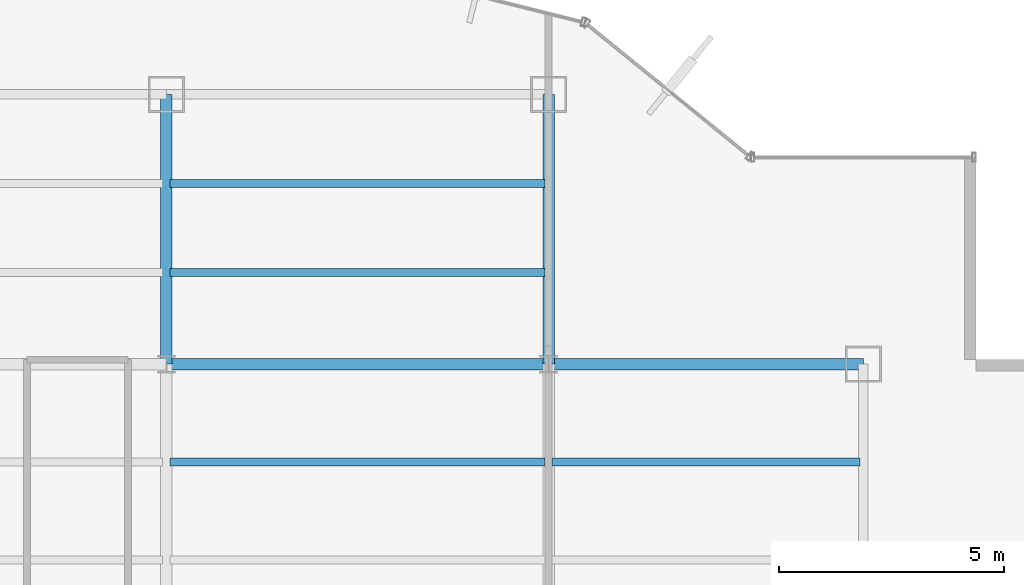
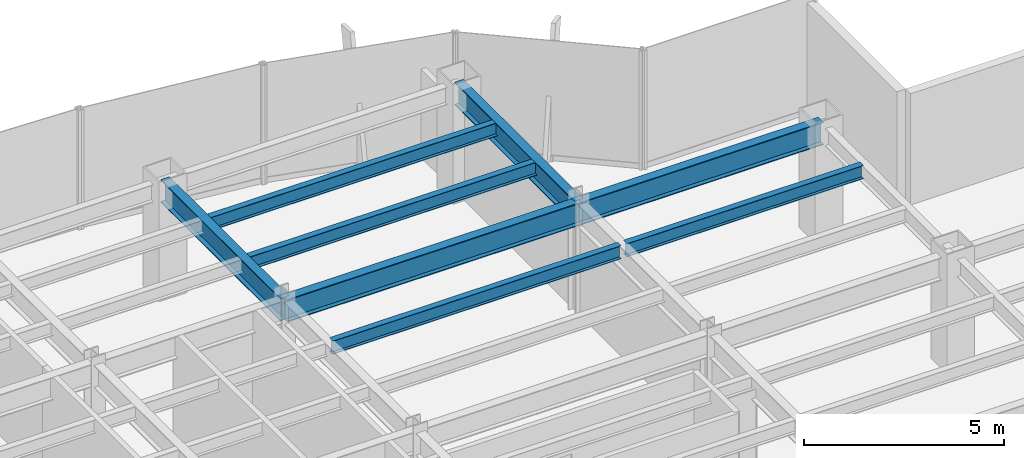
# One storey, part 17 of 26: 8 beams.
"""IFC4 building model written with IfcOpenShell, lengths in metres."""

from ifc_helpers import new_model, si_unit, derived_unit, direction, frame, origin, origin_2d, place, context, subcontext, project, spatial, i_section, extrude, source, transform, mapped, material, material_profile, profile_set, type_object, element, save


model = new_model("IFC4")

# Units and contexts
model_context = context("Model", 3, precision=1e-05, world=origin(), true_north=direction((0.0, 1.0)))
body_context = subcontext(model_context, "Body", "Model", "MODEL_VIEW")
ifc_project = project(units=[si_unit("LENGTHUNIT", "METRE"), si_unit("AREAUNIT", "SQUARE_METRE"), si_unit("VOLUMEUNIT", "CUBIC_METRE"), si_unit("PLANEANGLEUNIT", "RADIAN"), si_unit("MASSUNIT", "GRAM", prefix="KILO"), derived_unit("THERMALTRANSMITTANCEUNIT", [(si_unit("POWERUNIT", "WATT"), 1), (si_unit("LENGTHUNIT", "METRE"), -2), (si_unit("THERMODYNAMICTEMPERATUREUNIT", "KELVIN"), -1)])], contexts=[model_context])

# Site, building, storey
site_placement = place(None, origin())
site = spatial("IfcSite", under=ifc_project, at=site_placement, CompositionType="ELEMENT")
building_placement = place(site_placement, origin())
building = spatial("IfcBuilding", under=site, at=building_placement, Name="Skarnbrae Concourse Arena and Tower", CompositionType="ELEMENT")
storey_placement = place(building_placement, frame((0.0, 0.0, 117.85009765625)))
storey = spatial("IfcBuildingStorey", under=building, at=storey_placement, Name="L29", CompositionType="ELEMENT", Elevation=117.85009765625)

# Beams
ifc_material = material(Name="Steel CSA G40.21 350W", Category="steel")
ifc_material_profile_1 = material_profile(ifc_material, i_section(OverallWidth=0.256103515625, OverallDepth=0.693115234375, WebThickness=0.014404296875, FlangeThickness=0.023681640625, at=origin_2d()), Name="W690X170")
ifc_profile_set_1 = profile_set([ifc_material_profile_1], Name="Steel CSA G40.21 350W")
beam_type_1 = type_object("IfcBeamType", Name="BM-GIRD-W690X170", PredefinedType="BEAM", material=ifc_profile_set_1)
shared_shape_1 = source(origin(), body_context, "Body", "SweptSolid", [
    extrude(i_section(OverallWidth=0.256103515625, OverallDepth=0.693115234375, WebThickness=0.014404296875, FlangeThickness=0.023681640625, at=origin_2d()), origin(), (0.0, 0.0, 1.0), 7.0),
])
beam_1_placement = place(storey_placement, frame((42.0, 34.39990234375, 3.053466796875), z_axis=(1.0, 0.0, 0.0), x_axis=(0.0, 1.0, 0.0)))
element("IfcBeam", 1, at=beam_1_placement, inside=storey, type_object=beam_type_1, Name="L29 Primary E-W girder Y34.4-6", PredefinedType="BEAM", context=body_context, shape_type="MappedRepresentation", body=[
    mapped(shared_shape_1, transform((0.0, 0.0, 0.0))),
])
shared_shape_2 = source(origin(), body_context, "Body", "SweptSolid", [
    extrude(i_section(OverallWidth=0.256103515625, OverallDepth=0.693115234375, WebThickness=0.014404296875, FlangeThickness=0.023681640625, at=origin_2d()), origin(), (0.0, 0.0, 1.0), 8.5),
])
beam_2_placement = place(storey_placement, frame((33.5, 34.39990234375, 3.053466796875), z_axis=(1.0, 0.0, 0.0), x_axis=(0.0, 1.0, 0.0)))
element("IfcBeam", 2, at=beam_2_placement, inside=storey, type_object=beam_type_1, Name="L29 Primary E-W girder Y34.4-5", PredefinedType="BEAM", context=body_context, shape_type="MappedRepresentation", body=[
    mapped(shared_shape_2, transform((0.0, 0.0, 0.0))),
])
shared_shape_3 = source(origin(), body_context, "Body", "SweptSolid", [
    extrude(i_section(OverallWidth=0.256103515625, OverallDepth=0.693115234375, WebThickness=0.014404296875, FlangeThickness=0.023681640625, at=origin_2d()), origin(), (0.0, 0.0, 1.0), 6.0),
])
for number, where, z_axis, x_axis, name in (
    (3, (33.5, 34.39990234375, 3.053466796875), (0.0, 1.0, 0.0), (-1.0, 0.0, 0.0), "L29 Primary N-S girder X33.5-4"),
    (4, (42.0, 34.39990234375, 3.053466796875), (0.0, 1.0, 0.0), (-1.0, 0.0, 0.0), "L29 Primary N-S girder X42.0-5"),
):
    element("IfcBeam", number, at=place(storey_placement, frame(where, z_axis=z_axis, x_axis=x_axis)), inside=storey, type_object=beam_type_1, Name=name, PredefinedType="BEAM", context=body_context, shape_type="MappedRepresentation", body=[
        mapped(shared_shape_3, transform((0.0, 0.0, 0.0))),
    ])
ifc_material_profile_2 = material_profile(ifc_material, i_section(OverallWidth=0.177978515625, OverallDepth=0.406982421875, WebThickness=0.0078125, FlangeThickness=0.0126953125, at=origin_2d()), Name="W410X60")
ifc_profile_set_2 = profile_set([ifc_material_profile_2], Name="Steel CSA G40.21 350W")
beam_type_2 = type_object("IfcBeamType", Name="BM-JOIST-W410X60", PredefinedType="JOIST", material=ifc_profile_set_2)
shared_shape_4 = source(origin(), body_context, "Body", "SweptSolid", [
    extrude(i_section(OverallWidth=0.177978515625, OverallDepth=0.406982421875, WebThickness=0.0078125, FlangeThickness=0.0126953125, at=origin_2d()), origin(), (0.0, 0.0, 1.0), 8.33984375),
])
for number, where, z_axis, x_axis, name in (
    (5, (33.580078125, 32.221923828125, 3.1962890625), (1.0, 0.0, 0.0), (0.0, 1.0, 0.0), "L29 Secondary floor joist 3.2.5"),
    (6, (33.580078125, 36.43994140625, 3.1962890625), (1.0, 0.0, 0.0), (0.0, 1.0, 0.0), "L29 Secondary floor joist 4.1.4"),
    (7, (33.580078125, 38.419921875, 3.1962890625), (1.0, 0.0, 0.0), (0.0, 1.0, 0.0), "L29 Secondary floor joist 4.2.4"),
):
    element("IfcBeam", number, at=place(storey_placement, frame(where, z_axis=z_axis, x_axis=x_axis)), inside=storey, type_object=beam_type_2, Name=name, PredefinedType="JOIST", context=body_context, shape_type="MappedRepresentation", body=[
        mapped(shared_shape_4, transform((0.0, 0.0, 0.0))),
    ])
shared_shape_5 = source(origin(), body_context, "Body", "SweptSolid", [
    extrude(i_section(OverallWidth=0.177978515625, OverallDepth=0.406982421875, WebThickness=0.0078125, FlangeThickness=0.0126953125, at=origin_2d()), origin(), (0.0, 0.0, 1.0), 6.83984375),
])
beam_3_placement = place(storey_placement, frame((42.080078125, 32.221923828125, 3.1962890625), z_axis=(1.0, 0.0, 0.0), x_axis=(0.0, 1.0, 0.0)))
element("IfcBeam", 8, at=beam_3_placement, inside=storey, type_object=beam_type_2, Name="L29 Secondary floor joist 3.2.6", PredefinedType="JOIST", context=body_context, shape_type="MappedRepresentation", body=[
    mapped(shared_shape_5, transform((0.0, 0.0, 0.0))),
])

save(model, "model.ifc")
